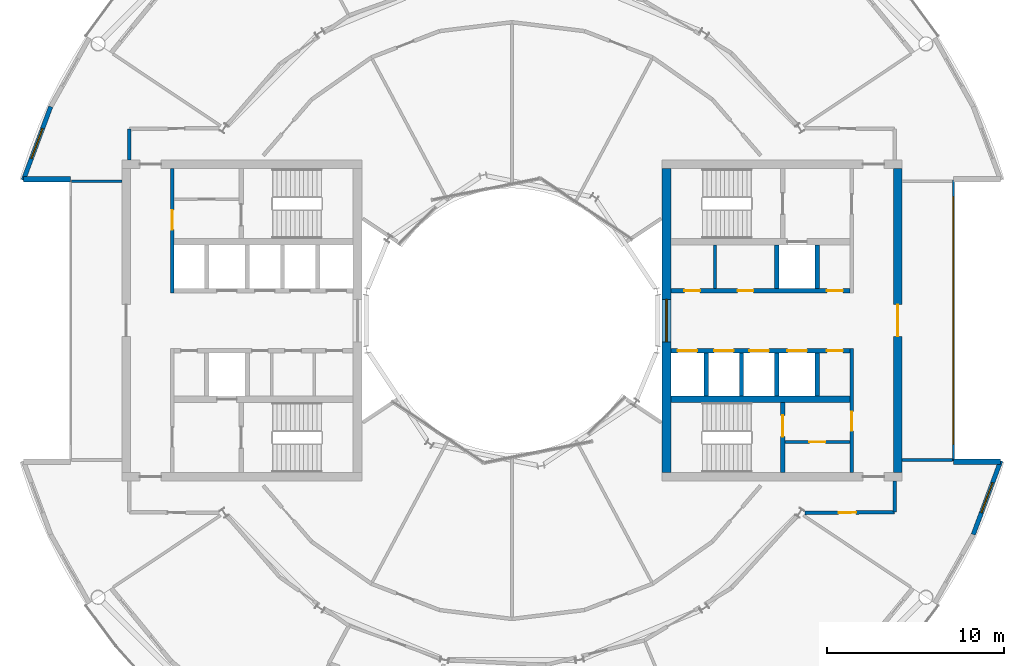
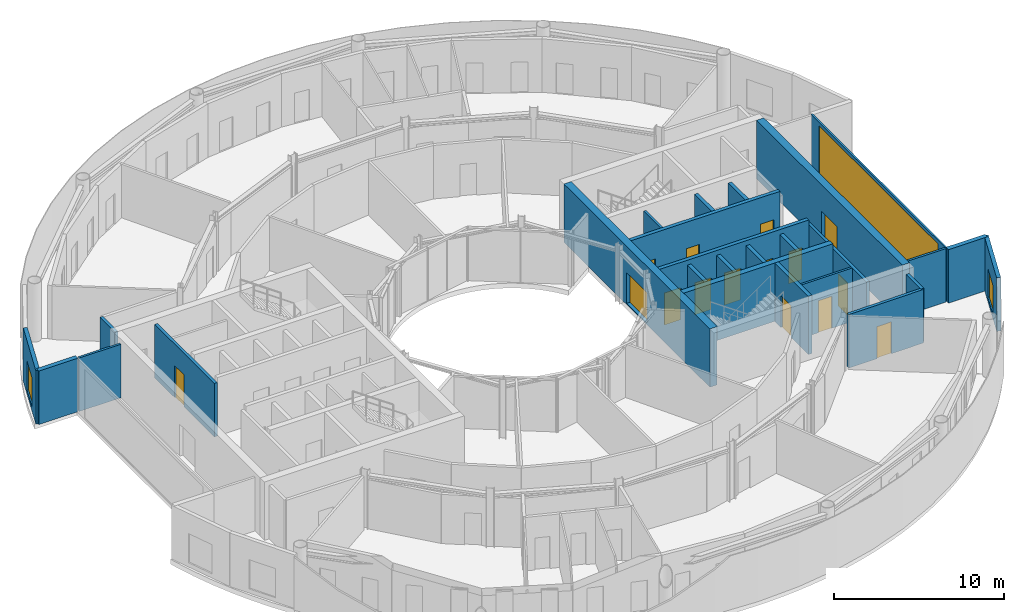
# One storey, part 15 of 21: 26 walls, 14 doors, 4 windows, 18 openings.
"""IFC4 building model written with IfcOpenShell, lengths in metres."""

import ifcopenshell
import ifcopenshell.guid

model = None  # the IFC model being written
_history = None  # IfcOwnerHistory: only IFC2X3 demands one
_inside = {}  # id of a spatial element -> (the spatial element, [elements in it])
_under = {}  # id of a project, library or spatial element -> (it, [spatial elements below it])
_declared = {}  # id of a project -> (the project, [libraries it declares])
_typed = {}  # id of a type object -> (the type object, [elements of that type])
_made_of = {}  # id of a material, layer set ... -> (it, [elements and type objects made of it])


def new_model(schema):
    """Start an empty IFC model of exactly this schema.

    Asked for "IFC4X3", IfcOpenShell would pick the latest addendum, in which some entities
    have other attributes; the version numbers below select the first issue.
    IFC2X3 requires an IfcOwnerHistory on every rooted entity: one is made here for all.
    """
    global model, _history
    if schema == "IFC4X3":
        model = ifcopenshell.file(schema_version=(4, 3, 0, 0))
    else:
        model = ifcopenshell.file(schema=schema)
    _inside.clear()
    _under.clear()
    _declared.clear()
    _typed.clear()
    _made_of.clear()
    _history = None
    if model.schema == "IFC2X3":
        org = make("IfcOrganization", Name="unknown")
        user = make(
            "IfcPersonAndOrganization",
            ThePerson=make("IfcPerson", FamilyName="unknown"),
            TheOrganization=org,
        )
        app = make(
            "IfcApplication",
            ApplicationDeveloper=org,
            Version="unknown",
            ApplicationFullName="unknown",
            ApplicationIdentifier="unknown",
        )
        _history = make(
            "IfcOwnerHistory",
            OwningUser=user,
            OwningApplication=app,
            ChangeAction="ADDED",
            CreationDate=0,
        )
    return model


def make(cls, **values):
    """One entity of the class cls with the attributes given. An attribute that is None is left unset."""
    return model.create_entity(
        cls, **{name: value for name, value in values.items() if value is not None}
    )


def rooted(cls, **values):
    """An entity with a GlobalId (a new one), such as an element, a storey or a relation."""
    return make(cls, GlobalId=ifcopenshell.guid.new(), OwnerHistory=_history, **values)


def si_unit(unit_type, name, prefix=None):
    """IfcSIUnit, for example si_unit("LENGTHUNIT", "METRE", prefix="MILLI")."""
    return make("IfcSIUnit", UnitType=unit_type, Prefix=prefix, Name=name)


def assignment(units):
    """IfcUnitAssignment: the units of a project."""
    return None if units is None else make("IfcUnitAssignment", Units=units)


def point(xyz):
    """IfcCartesianPoint."""
    return None if xyz is None else make("IfcCartesianPoint", Coordinates=xyz)


def direction(xyz):
    """IfcDirection."""
    return None if xyz is None else make("IfcDirection", DirectionRatios=xyz)


def frame(location, z_axis=None, x_axis=None):
    """IfcAxis2Placement3D, a coordinate frame: its origin and axes. An axis left out is left unset."""
    return make(
        "IfcAxis2Placement3D",
        Location=point(location),
        Axis=direction(z_axis),
        RefDirection=direction(x_axis),
    )


def frame_2d(location, x_axis=None):
    """IfcAxis2Placement2D, a coordinate frame in the plane: its origin and x axis."""
    return make(
        "IfcAxis2Placement2D", Location=point(location), RefDirection=direction(x_axis)
    )


def origin():
    """The frame at (0, 0, 0) with its axes left unset."""
    return frame((0.0, 0.0, 0.0))


def place(relative_to, where):
    """IfcLocalPlacement: puts the frame where relative to a parent placement (None: the world)."""
    return make(
        "IfcLocalPlacement", PlacementRelTo=relative_to, RelativePlacement=where
    )


def context(
    kind, dimensions, precision=None, world=None, true_north=None, identifier=None
):
    """IfcGeometricRepresentationContext, for example the 3D "Model" context."""
    return make(
        "IfcGeometricRepresentationContext",
        ContextIdentifier=identifier,
        ContextType=kind,
        CoordinateSpaceDimension=dimensions,
        Precision=precision,
        WorldCoordinateSystem=world,
        TrueNorth=true_north,
    )


def subcontext(parent, identifier, kind, view, scale=None):
    """IfcGeometricRepresentationSubContext, for example "Body" below "Model"."""
    return make(
        "IfcGeometricRepresentationSubContext",
        ContextIdentifier=identifier,
        ContextType=kind,
        ParentContext=parent,
        TargetScale=scale,
        TargetView=view,
    )


def project(units=None, contexts=None):
    """IfcProject with its units and contexts."""
    return rooted(
        "IfcProject",
        Name="project",
        RepresentationContexts=contexts,
        UnitsInContext=assignment(units),
    )


def spatial(cls, under=None, at=None, **own):
    """A site, building, storey or space (cls), placed at a placement, below another one or the project."""
    s = rooted(cls, ObjectPlacement=at, **own)
    if under is not None:
        _under.setdefault(under.id(), (under, []))[1].append(s)
    return s


def profile(cls, at=None, kind="AREA", **sizes):
    """A parametric profile (cls). Its sizes go by their IFC names, for example OverallWidth=200.0."""
    return make(cls, ProfileType=kind, Position=at, **sizes)


def rectangle(**sizes):
    """IfcRectangleProfileDef."""
    return profile("IfcRectangleProfileDef", **sizes)


def extrude(swept, where, along, depth):
    """IfcExtrudedAreaSolid: the profile swept, set in the frame where, extruded along a direction by depth."""
    return make(
        "IfcExtrudedAreaSolid",
        SweptArea=swept,
        Position=where,
        ExtrudedDirection=direction(along),
        Depth=depth,
    )


def shape(context_of_items, identifier, shape_type, items):
    """IfcShapeRepresentation: the items that make up one representation, for example the "Body"."""
    return make(
        "IfcShapeRepresentation",
        ContextOfItems=context_of_items,
        RepresentationIdentifier=identifier,
        RepresentationType=shape_type,
        Items=items,
    )


def material(Name=None, Category=None):
    """IfcMaterial."""
    return make("IfcMaterial", Name=Name, Category=Category)


def layer(
    of_material, thickness, ventilated=None, Name=None, Category=None, Priority=None
):
    """IfcMaterialLayer: one layer of a wall or slab, of a material (None: an air gap)."""
    return make(
        "IfcMaterialLayer",
        Material=of_material,
        LayerThickness=thickness,
        IsVentilated=ventilated,
        Name=Name,
        Category=Category,
        Priority=Priority,
    )


def layer_set(layers, Name=None):
    """IfcMaterialLayerSet."""
    return make("IfcMaterialLayerSet", MaterialLayers=layers, LayerSetName=Name)


def made_of(thing, what):
    """Note that an element or type object is made of a material, layer set ...; save() writes the relation."""
    if what is not None:
        _made_of.setdefault(what.id(), (what, []))[1].append(thing)
    return thing


def type_object(cls, material=None, **own):
    """A type object (cls), such as IfcWallType, which elements share."""
    return made_of(rooted(cls, **own), material)


def element(
    cls,
    number,
    at=None,
    inside=None,
    cuts=None,
    type_object=None,
    material=None,
    context=None,
    identifier="Body",
    shape_type=None,
    held_by="IfcProductDefinitionShape",
    body=None,
    shapes=None,
    **own,
):
    """One element of the class cls, such as IfcWall. Its Tag is "e" and its number.

    at: its placement. inside: the storey or other place that contains it. cuts: it is an
    opening in that element (IfcRelVoidsElement). A single representation is given by context,
    identifier, shape_type and body (its items); several are given by shapes. held_by: the class
    of the entity that holds the representations. save() writes the other relations.
    """
    e = rooted(cls, Tag="e%d" % number, ObjectPlacement=at, **own)
    if body is not None:
        shapes = [shape(context, identifier, shape_type, body)]
    if shapes is not None:
        e.Representation = make(held_by, Representations=shapes)
    if inside is not None:
        _inside.setdefault(inside.id(), (inside, []))[1].append(e)
    if cuts is not None:
        rooted(
            "IfcRelVoidsElement", RelatingBuildingElement=cuts, RelatedOpeningElement=e
        )
    if type_object is not None:
        _typed.setdefault(type_object.id(), (type_object, []))[1].append(e)
    return made_of(e, material)


def fill(opening, filler):
    """IfcRelFillsElement: the door or window that sits in an opening."""
    return rooted(
        "IfcRelFillsElement",
        RelatingOpeningElement=opening,
        RelatedBuildingElement=filler,
    )


def aggregate(whole, parts):
    """IfcRelAggregates: a whole, such as a stair, and the parts it consists of."""
    return rooted("IfcRelAggregates", RelatingObject=whole, RelatedObjects=parts)


def save(model, path):
    """Write the relations noted so far, then the file.

    IfcRelAggregates (storeys below a building ...), IfcRelContainedInSpatialStructure (elements
    in a storey), IfcRelDefinesByType, IfcRelAssociatesMaterial and IfcRelDeclares: one each for
    every whole, place, type object, material and project.
    """
    for whole, parts in _under.values():
        aggregate(whole, parts)
    for where, things in _inside.values():
        rooted(
            "IfcRelContainedInSpatialStructure",
            RelatedElements=things,
            RelatingStructure=where,
        )
    for kind, things in _typed.values():
        rooted("IfcRelDefinesByType", RelatedObjects=things, RelatingType=kind)
    for what, things in _made_of.values():
        rooted("IfcRelAssociatesMaterial", RelatedObjects=things, RelatingMaterial=what)
    for by, libraries in _declared.values():
        rooted("IfcRelDeclares", RelatingContext=by, RelatedDefinitions=libraries)
    model.write(path)


model = new_model("IFC4")

# Units and contexts
model_context = context("Model", 3, precision=1e-05, world=origin(), true_north=direction((0.0, 1.0)))
body_context = subcontext(model_context, "Body", "Model", "MODEL_VIEW")
ifc_project = project(units=[si_unit("LENGTHUNIT", "METRE"), si_unit("AREAUNIT", "SQUARE_METRE"), si_unit("VOLUMEUNIT", "CUBIC_METRE"), si_unit("PLANEANGLEUNIT", "RADIAN"), si_unit("MASSUNIT", "GRAM", prefix="KILO")], contexts=[model_context])

# Site, building, storey
site_placement = place(None, origin())
site = spatial("IfcSite", under=ifc_project, at=site_placement, CompositionType="ELEMENT")
building_placement = place(site_placement, origin())
building = spatial("IfcBuilding", under=site, at=building_placement, Name="Maasbend Ring Residences", CompositionType="ELEMENT")
storey_placement = place(building_placement, frame((0.0, 0.0, 157.39990234375)))
storey = spatial("IfcBuildingStorey", under=building, at=storey_placement, Name="L45", CompositionType="ELEMENT", Elevation=157.39990234375)

# Wall, openings, doors
ifc_material_1 = material(Name="Concrete C60/75", Category="concrete")
ifc_layer_1 = layer(ifc_material_1, 0.25)
ifc_layer_set_1 = layer_set([ifc_layer_1], Name="Concrete C60/75")
wall_type_1 = type_object("IfcWallType", Name="CORE WALL 250 C60/75", PredefinedType="SHEAR", material=ifc_layer_set_1)
wall_1_placement = place(storey_placement, frame((9.0, 1.699951171875, 0.0), z_axis=(0.0, 0.0, 1.0), x_axis=(1.0, 0.0, 0.0)))
wall_1 = element("IfcWall", 1, at=wall_1_placement, inside=storey, type_object=wall_type_1, Name="L45 core E wall SPN", PredefinedType="SHEAR", context=body_context, shape_type="SweptSolid", body=[
    extrude(rectangle(XDim=10.14990234375, YDim=0.25, at=frame_2d((5.074951171875, 0.0))), origin(), (0.0, 0.0, 1.0), 4.2001953125),
])
opening_1_placement = place(wall_1_placement, frame((0.762451171875, 0.0, 0.0)))
opening_1 = element("IfcOpeningElement", 2, at=opening_1_placement, cuts=wall_1, Name="Opening D-E4506", PredefinedType="OPENING", context=body_context, shape_type="SweptSolid", body=[
    extrude(rectangle(XDim=0.89990234375, YDim=2.300048828125, at=frame_2d((0.449951171875, 1.14990234375))), frame((0.0, 0.135009765625, 0.0), z_axis=(0.0, -1.0, 0.0), x_axis=(1.0, 0.0, 0.0)), (0.0, 0.0, 1.0), 0.27001953125),
])
opening_2_placement = place(wall_1_placement, frame((3.77490234375, 0.0, 0.0)))
opening_2 = element("IfcOpeningElement", 3, at=opening_2_placement, cuts=wall_1, Name="Opening D-E4507", PredefinedType="OPENING", context=body_context, shape_type="SweptSolid", body=[
    extrude(rectangle(XDim=0.89990234375, YDim=2.300048828125, at=frame_2d((0.449951171875, 1.14990234375))), frame((0.0, 0.135009765625, 0.0), z_axis=(0.0, -1.0, 0.0), x_axis=(1.0, 0.0, 0.0)), (0.0, 0.0, 1.0), 0.27001953125),
])
opening_3_placement = place(wall_1_placement, frame((8.83740234375, 0.0, 0.0)))
opening_3 = element("IfcOpeningElement", 4, at=opening_3_placement, cuts=wall_1, Name="Opening D-E4508", PredefinedType="OPENING", context=body_context, shape_type="SweptSolid", body=[
    extrude(rectangle(XDim=0.89990234375, YDim=2.300048828125, at=frame_2d((0.449951171875, 1.14990234375))), frame((0.0, 0.135009765625, 0.0), z_axis=(0.0, -1.0, 0.0), x_axis=(1.0, 0.0, 0.0)), (0.0, 0.0, 1.0), 0.27001953125),
])
ifc_material_2 = material(Name="Steel, powder coated", Category="steel")
door_type_1 = type_object("IfcDoorType", Name="ROOM DOOR 900 X 2300 FD30S", OperationType="NOTDEFINED", PredefinedType="DOOR", material=ifc_material_2)
door_1_placement = place(opening_1_placement, origin())
door_1 = element("IfcDoor", 5, at=door_1_placement, inside=storey, type_object=door_type_1, Name="Room door L45", OperationType="SINGLE_SWING_RIGHT", OverallHeight=2.300048828125, OverallWidth=0.89990234375, PredefinedType="DOOR", context=body_context, shape_type="SweptSolid", body=[
    extrude(rectangle(XDim=0.89990234375, YDim=2.300048828125, at=frame_2d((0.449951171875, 1.14990234375))), frame((0.0, 0.02490234375, 0.0), z_axis=(0.0, -1.0, 0.0), x_axis=(1.0, 0.0, 0.0)), (0.0, 0.0, 1.0), 0.050048828125),
])
fill(opening_1, door_1)
door_2_placement = place(opening_2_placement, origin())
door_2 = element("IfcDoor", 6, at=door_2_placement, inside=storey, type_object=door_type_1, Name="Room door L45", OperationType="SINGLE_SWING_RIGHT", OverallHeight=2.300048828125, OverallWidth=0.89990234375, PredefinedType="DOOR", context=body_context, shape_type="SweptSolid", body=[
    extrude(rectangle(XDim=0.89990234375, YDim=2.300048828125, at=frame_2d((0.449951171875, 1.14990234375))), frame((0.0, 0.02490234375, 0.0), z_axis=(0.0, -1.0, 0.0), x_axis=(1.0, 0.0, 0.0)), (0.0, 0.0, 1.0), 0.050048828125),
])
fill(opening_2, door_2)
door_3_placement = place(opening_3_placement, origin())
door_3 = element("IfcDoor", 7, at=door_3_placement, inside=storey, type_object=door_type_1, Name="Room door L45", OperationType="SINGLE_SWING_LEFT", OverallHeight=2.300048828125, OverallWidth=0.89990234375, PredefinedType="DOOR", context=body_context, shape_type="SweptSolid", body=[
    extrude(rectangle(XDim=0.89990234375, YDim=2.300048828125, at=frame_2d((0.449951171875, 1.14990234375))), frame((0.0, 0.02490234375, 0.0), z_axis=(0.0, -1.0, 0.0), x_axis=(1.0, 0.0, 0.0)), (0.0, 0.0, 1.0), 0.050048828125),
])
fill(opening_3, door_3)

wall_2_placement = place(storey_placement, frame((19.14990234375, -1.699951171875, 0.0), z_axis=(0.0, 0.0, 1.0), x_axis=(-1.0, 0.0, 0.0)))
wall_2 = element("IfcWall", 8, at=wall_2_placement, inside=storey, type_object=wall_type_1, Name="L45 core E wall SPS", PredefinedType="SHEAR", context=body_context, shape_type="SweptSolid", body=[
    extrude(rectangle(XDim=10.14990234375, YDim=0.25, at=frame_2d((5.074951171875, 0.0))), origin(), (0.0, 0.0, 1.0), 4.2001953125),
])
opening_4_placement = place(wall_2_placement, frame((8.66259765625, 0.0, 0.0)))
opening_4 = element("IfcOpeningElement", 9, at=opening_4_placement, cuts=wall_2, Name="Opening LD-E4502", PredefinedType="OPENING", context=body_context, shape_type="SweptSolid", body=[
    extrude(rectangle(XDim=1.10009765625, YDim=2.300048828125, at=frame_2d((0.550048828125, 1.14990234375))), frame((0.0, 0.135009765625, 0.0), z_axis=(0.0, -1.0, 0.0), x_axis=(1.0, 0.0, 0.0)), (0.0, 0.0, 1.0), 0.27001953125),
])
opening_5_placement = place(wall_2_placement, frame((6.60009765625, 0.0, 0.0)))
opening_5 = element("IfcOpeningElement", 10, at=opening_5_placement, cuts=wall_2, Name="Opening LD-E4503", PredefinedType="OPENING", context=body_context, shape_type="SweptSolid", body=[
    extrude(rectangle(XDim=1.10009765625, YDim=2.300048828125, at=frame_2d((0.550048828125, 1.14990234375))), frame((0.0, 0.135009765625, 0.0), z_axis=(0.0, -1.0, 0.0), x_axis=(1.0, 0.0, 0.0)), (0.0, 0.0, 1.0), 0.27001953125),
])
opening_6_placement = place(wall_2_placement, frame((4.60009765625, 0.0, 0.0)))
opening_6 = element("IfcOpeningElement", 11, at=opening_6_placement, cuts=wall_2, Name="Opening LD-E4504", PredefinedType="OPENING", context=body_context, shape_type="SweptSolid", body=[
    extrude(rectangle(XDim=1.10009765625, YDim=2.300048828125, at=frame_2d((0.550048828125, 1.14990234375))), frame((0.0, 0.135009765625, 0.0), z_axis=(0.0, -1.0, 0.0), x_axis=(1.0, 0.0, 0.0)), (0.0, 0.0, 1.0), 0.27001953125),
])
opening_7_placement = place(wall_2_placement, frame((2.449951171875, 0.0, 0.0)))
opening_7 = element("IfcOpeningElement", 12, at=opening_7_placement, cuts=wall_2, Name="Opening LD-E4505", PredefinedType="OPENING", context=body_context, shape_type="SweptSolid", body=[
    extrude(rectangle(XDim=1.10009765625, YDim=2.300048828125, at=frame_2d((0.550048828125, 1.14990234375))), frame((0.0, 0.135009765625, 0.0), z_axis=(0.0, -1.0, 0.0), x_axis=(1.0, 0.0, 0.0)), (0.0, 0.0, 1.0), 0.27001953125),
])
opening_8_placement = place(wall_2_placement, frame((0.41259765625, 0.0, 0.0)))
opening_8 = element("IfcOpeningElement", 13, at=opening_8_placement, cuts=wall_2, Name="Opening D-E4509", PredefinedType="OPENING", context=body_context, shape_type="SweptSolid", body=[
    extrude(rectangle(XDim=0.89990234375, YDim=2.300048828125, at=frame_2d((0.449951171875, 1.14990234375))), frame((0.0, 0.135009765625, 0.0), z_axis=(0.0, -1.0, 0.0), x_axis=(1.0, 0.0, 0.0)), (0.0, 0.0, 1.0), 0.27001953125),
])
ifc_material_3 = material(Name="Stainless steel 316", Category="steel")
door_type_2 = type_object("IfcDoorType", Name="LANDING DOOR 1100 X 2300 FD60", OperationType="DOUBLE_DOOR_SLIDING", PredefinedType="DOOR", material=ifc_material_3)
door_4_placement = place(opening_4_placement, origin())
door_4 = element("IfcDoor", 14, at=door_4_placement, inside=storey, type_object=door_type_2, Name="Landing door HR-E1 L45", OperationType="DOUBLE_DOOR_SLIDING", OverallHeight=2.300048828125, OverallWidth=1.10009765625, PredefinedType="DOOR", context=body_context, shape_type="SweptSolid", body=[
    extrude(rectangle(XDim=1.10009765625, YDim=2.300048828125, at=frame_2d((0.550048828125, 1.14990234375))), frame((0.0, 0.02490234375, 0.0), z_axis=(0.0, -1.0, 0.0), x_axis=(1.0, 0.0, 0.0)), (0.0, 0.0, 1.0), 0.050048828125),
])
fill(opening_4, door_4)
door_5_placement = place(opening_5_placement, origin())
door_5 = element("IfcDoor", 15, at=door_5_placement, inside=storey, type_object=door_type_2, Name="Landing door HR-E2 L45", OperationType="DOUBLE_DOOR_SLIDING", OverallHeight=2.300048828125, OverallWidth=1.10009765625, PredefinedType="DOOR", context=body_context, shape_type="SweptSolid", body=[
    extrude(rectangle(XDim=1.10009765625, YDim=2.300048828125, at=frame_2d((0.550048828125, 1.14990234375))), frame((0.0, 0.02490234375, 0.0), z_axis=(0.0, -1.0, 0.0), x_axis=(1.0, 0.0, 0.0)), (0.0, 0.0, 1.0), 0.050048828125),
])
fill(opening_5, door_5)
door_6_placement = place(opening_6_placement, origin())
door_6 = element("IfcDoor", 16, at=door_6_placement, inside=storey, type_object=door_type_2, Name="Landing door HR-E3 L45", OperationType="DOUBLE_DOOR_SLIDING", OverallHeight=2.300048828125, OverallWidth=1.10009765625, PredefinedType="DOOR", context=body_context, shape_type="SweptSolid", body=[
    extrude(rectangle(XDim=1.10009765625, YDim=2.300048828125, at=frame_2d((0.550048828125, 1.14990234375))), frame((0.0, 0.02490234375, 0.0), z_axis=(0.0, -1.0, 0.0), x_axis=(1.0, 0.0, 0.0)), (0.0, 0.0, 1.0), 0.050048828125),
])
fill(opening_6, door_6)
door_7_placement = place(opening_7_placement, origin())
door_7 = element("IfcDoor", 17, at=door_7_placement, inside=storey, type_object=door_type_2, Name="Landing door SV-E L45", OperationType="DOUBLE_DOOR_SLIDING", OverallHeight=2.300048828125, OverallWidth=1.10009765625, PredefinedType="DOOR", context=body_context, shape_type="SweptSolid", body=[
    extrude(rectangle(XDim=1.10009765625, YDim=2.300048828125, at=frame_2d((0.550048828125, 1.14990234375))), frame((0.0, 0.02490234375, 0.0), z_axis=(0.0, -1.0, 0.0), x_axis=(1.0, 0.0, 0.0)), (0.0, 0.0, 1.0), 0.050048828125),
])
fill(opening_7, door_7)
door_8_placement = place(opening_8_placement, origin())
door_8 = element("IfcDoor", 18, at=door_8_placement, inside=storey, type_object=door_type_1, Name="Room door L45", OperationType="SINGLE_SWING_RIGHT", OverallHeight=2.300048828125, OverallWidth=0.89990234375, PredefinedType="DOOR", context=body_context, shape_type="SweptSolid", body=[
    extrude(rectangle(XDim=0.89990234375, YDim=2.300048828125, at=frame_2d((0.449951171875, 1.14990234375))), frame((0.0, 0.02490234375, 0.0), z_axis=(0.0, -1.0, 0.0), x_axis=(1.0, 0.0, 0.0)), (0.0, 0.0, 1.0), 0.050048828125),
])
fill(opening_8, door_8)

# Wall, opening, door
wall_3_placement = place(storey_placement, frame((15.324951171875, -8.60009765625, 0.0), z_axis=(0.0, 0.0, 1.0), x_axis=(0.0, 1.0, 0.0)))
wall_3 = element("IfcWall", 19, at=wall_3_placement, inside=storey, type_object=wall_type_1, Name="L45 core E wall STES", PredefinedType="SHEAR", context=body_context, shape_type="SweptSolid", body=[
    extrude(rectangle(XDim=3.9501953125, YDim=0.25, at=frame_2d((1.97509765625, 0.0))), origin(), (0.0, 0.0, 1.0), 4.2001953125),
])
opening_9_placement = place(wall_3_placement, frame((2.02490234375, 0.0, 0.0)))
opening_9 = element("IfcOpeningElement", 20, at=opening_9_placement, cuts=wall_3, Name="Opening D-E4512", PredefinedType="OPENING", context=body_context, shape_type="SweptSolid", body=[
    extrude(rectangle(XDim=1.199951171875, YDim=2.300048828125, at=frame_2d((0.60009765625, 1.14990234375))), frame((0.0, 0.135009765625, 0.0), z_axis=(0.0, -1.0, 0.0), x_axis=(1.0, 0.0, 0.0)), (0.0, 0.0, 1.0), 0.27001953125),
])
ifc_material_4 = material(Name="Steel, powder coated", Category="steel")
door_type_3 = type_object("IfcDoorType", Name="STAIR DOOR 1200 X 2300 FD60", OperationType="NOTDEFINED", PredefinedType="DOOR", material=ifc_material_4)
door_9_placement = place(opening_9_placement, origin())
door_9 = element("IfcDoor", 21, at=door_9_placement, inside=storey, type_object=door_type_3, Name="Stair door ST-E L45", OperationType="SINGLE_SWING_LEFT", OverallHeight=2.300048828125, OverallWidth=1.199951171875, PredefinedType="DOOR", context=body_context, shape_type="SweptSolid", body=[
    extrude(rectangle(XDim=1.199951171875, YDim=2.300048828125, at=frame_2d((0.60009765625, 1.14990234375))), frame((0.0, 0.02490234375, 0.0), z_axis=(0.0, -1.0, 0.0), x_axis=(1.0, 0.0, 0.0)), (0.0, 0.0, 1.0), 0.050048828125),
])
fill(opening_9, door_9)

# Wall
ifc_material_5 = material(Name="Concrete C60/75", Category="concrete")
ifc_layer_2 = layer(ifc_material_5, 0.375)
ifc_layer_set_2 = layer_set([ifc_layer_2], Name="Concrete C60/75")
wall_type_2 = type_object("IfcWallType", Name="CORE WALL 375 C60/75", PredefinedType="SHEAR", material=ifc_layer_set_2)
wall_4_placement = place(storey_placement, frame((9.0, -4.46240234375, 0.0), z_axis=(0.0, 0.0, 1.0), x_axis=(1.0, 0.0, 0.0)))
element("IfcWall", 22, at=wall_4_placement, inside=storey, type_object=wall_type_2, Name="L45 core E wall BS", PredefinedType="SHEAR", context=body_context, shape_type="SweptSolid", body=[
    extrude(rectangle(XDim=10.14990234375, YDim=0.375, at=frame_2d((5.074951171875, 0.0))), origin(), (0.0, 0.0, 1.0), 4.2001953125),
])

# Wall, opening, door
ifc_material_6 = material(Name="Concrete C60/75", Category="concrete")
ifc_layer_3 = layer(ifc_material_6, 0.5)
ifc_layer_set_3 = layer_set([ifc_layer_3], Name="Concrete C60/75")
wall_type_3 = type_object("IfcWallType", Name="CORE WALL 500 C60/75", PredefinedType="SHEAR", material=ifc_layer_set_3)
wall_5_placement = place(storey_placement, frame((21.85009765625, 8.60009765625, 0.0), z_axis=(0.0, 0.0, 1.0), x_axis=(0.0, -1.0, 0.0)))
wall_5 = element("IfcWall", 23, at=wall_5_placement, inside=storey, type_object=wall_type_3, Name="L45 core E wall POUT", PredefinedType="SHEAR", context=body_context, shape_type="SweptSolid", body=[
    extrude(rectangle(XDim=17.2001953125, YDim=0.5, at=frame_2d((8.60009765625, 0.0))), origin(), (0.0, 0.0, 1.0), 4.2001953125),
])
opening_10_placement = place(wall_5_placement, frame((7.699951171875, 0.0, 0.0)))
opening_10 = element("IfcOpeningElement", 24, at=opening_10_placement, cuts=wall_5, Name="Opening D-E4517", PredefinedType="OPENING", context=body_context, shape_type="SweptSolid", body=[
    extrude(rectangle(XDim=1.800048828125, YDim=2.300048828125, at=frame_2d((0.89990234375, 1.14990234375))), frame((0.0, 0.260009765625, 0.0), z_axis=(0.0, -1.0, 0.0), x_axis=(1.0, 0.0, 0.0)), (0.0, 0.0, 1.0), 0.52001953125),
])
ifc_material_7 = material(Name="Aluminium frame, clear glass", Category="aluminium")
door_type_4 = type_object("IfcDoorType", Name="ENTRANCE DOOR 1800 X 2300 FD60", OperationType="NOTDEFINED", PredefinedType="DOOR", material=ifc_material_7)
door_10_placement = place(opening_10_placement, origin())
door_10 = element("IfcDoor", 25, at=door_10_placement, inside=storey, type_object=door_type_4, Name="Lobby glazed door L45", OperationType="SINGLE_SWING_LEFT", OverallHeight=2.300048828125, OverallWidth=1.800048828125, PredefinedType="DOOR", context=body_context, shape_type="SweptSolid", body=[
    extrude(rectangle(XDim=1.800048828125, YDim=2.300048828125, at=frame_2d((0.89990234375, 1.14990234375))), frame((0.0, 0.02490234375, 0.0), z_axis=(0.0, -1.0, 0.0), x_axis=(1.0, 0.0, 0.0)), (0.0, 0.0, 1.0), 0.050048828125),
])
fill(opening_10, door_10)

# Wall, opening, window
wall_6_placement = place(storey_placement, frame((8.75, -8.60009765625, 0.0), z_axis=(0.0, 0.0, 1.0), x_axis=(0.0, 1.0, 0.0)))
wall_6 = element("IfcWall", 26, at=wall_6_placement, inside=storey, type_object=wall_type_3, Name="L45 core E wall PIN", PredefinedType="SHEAR", context=body_context, shape_type="SweptSolid", body=[
    extrude(rectangle(XDim=17.2001953125, YDim=0.5, at=frame_2d((8.60009765625, 0.0))), origin(), (0.0, 0.0, 1.0), 4.2001953125),
])
opening_11_placement = place(wall_6_placement, frame((7.39990234375, 0.0, 0.10009765625)))
opening_11 = element("IfcOpeningElement", 27, at=opening_11_placement, cuts=wall_6, Name="Opening W-E4501", PredefinedType="OPENING", context=body_context, shape_type="SweptSolid", body=[
    extrude(rectangle(XDim=2.39990234375, YDim=2.199951171875, at=frame_2d((1.199951171875, 1.10009765625))), frame((0.0, 0.260009765625, 0.0), z_axis=(0.0, -1.0, 0.0), x_axis=(1.0, 0.0, 0.0)), (0.0, 0.0, 1.0), 0.52001953125),
])
ifc_material_8 = material(Name="Aluminium frame and clear glass", Category="aluminium")
window_type_1 = type_object("IfcWindowType", Name="FIXED WINDOW 2400 X 2200", PartitioningType="SINGLE_PANEL", PredefinedType="WINDOW", material=ifc_material_8)
window_1_placement = place(opening_11_placement, origin())
window_1 = element("IfcWindow", 28, at=window_1_placement, inside=storey, type_object=window_type_1, Name="Lobby window L45", OverallHeight=2.199951171875, OverallWidth=2.39990234375, PartitioningType="SINGLE_PANEL", PredefinedType="WINDOW", context=body_context, shape_type="SweptSolid", body=[
    extrude(rectangle(XDim=2.39990234375, YDim=2.199951171875, at=frame_2d((1.199951171875, 1.10009765625))), frame((0.0, 0.030029296875, 0.0), z_axis=(0.0, -1.0, 0.0), x_axis=(1.0, 0.0, 0.0)), (0.0, 0.0, 1.0), 0.06005859375),
])
fill(opening_11, window_1)

# Wall
ifc_material_9 = material(Name="Concrete C30/37", Category="concrete")
ifc_layer_4 = layer(ifc_material_9, 0.199951171875)
ifc_layer_set_4 = layer_set([ifc_layer_4], Name="Concrete C30/37")
wall_type_4 = type_object("IfcWallType", Name="CORRIDOR WALL 200 CONCRETE", PredefinedType="PARTITIONING", material=ifc_layer_set_4)
wall_7_placement = place(storey_placement, frame((21.675048828125, -10.85009765625, 0.0), z_axis=(0.0, 0.0, 1.0), x_axis=(0.0, 1.0, 0.0)))
element("IfcWall", 29, at=wall_7_placement, inside=storey, type_object=wall_type_4, Name="U-L45-w002", PredefinedType="PARTITIONING", context=body_context, shape_type="SweptSolid", body=[
    extrude(rectangle(XDim=1.75, YDim=0.199951171875, at=frame_2d((0.875, 0.0))), origin(), (0.0, 0.0, 1.0), 3.85009765625),
])

# Wall, opening, door
wall_8_placement = place(storey_placement, frame((16.58203125, -10.89892578125, 0.0), z_axis=(0.0, 0.0, 1.0), x_axis=(0.999954045313, 0.009586827528, 0.0)))
wall_8 = element("IfcWall", 30, at=wall_8_placement, inside=storey, type_object=wall_type_4, Name="U-L45-w023", PredefinedType="PARTITIONING", context=body_context, shape_type="SweptSolid", body=[
    extrude(rectangle(XDim=5.09326171875, YDim=0.199951171875, at=frame_2d((2.546630859375, 0.0))), origin(), (0.0, 0.0, 1.0), 3.85009765625),
])
opening_12_placement = place(wall_8_placement, frame((1.9140625, 0.0, 0.0)))
opening_12 = element("IfcOpeningElement", 31, at=opening_12_placement, cuts=wall_8, Name="Opening D-4525", PredefinedType="OPENING", context=body_context, shape_type="SweptSolid", body=[
    extrude(rectangle(XDim=1.0, YDim=2.300048828125, at=frame_2d((0.5, 1.14990234375))), frame((0.0, 0.10986328125, 0.0), z_axis=(0.0, -1.0, 0.0), x_axis=(1.0, 0.0, 0.0)), (0.0, 0.0, 1.0), 0.219970703125),
])
ifc_material_10 = material(Name="Timber, painted", Category="wood")
door_type_5 = type_object("IfcDoorType", Name="ROOM DOOR 1000 X 2300", OperationType="NOTDEFINED", PredefinedType="DOOR", material=ifc_material_10)
door_11_placement = place(opening_12_placement, origin())
door_11 = element("IfcDoor", 32, at=door_11_placement, inside=storey, type_object=door_type_5, Name="D-4525", OperationType="SINGLE_SWING_LEFT", OverallHeight=2.300048828125, OverallWidth=1.0, PredefinedType="DOOR", context=body_context, shape_type="SweptSolid", body=[
    extrude(rectangle(XDim=1.0, YDim=2.300048828125, at=frame_2d((0.5, 1.14990234375))), frame((0.0, 0.02490234375, 0.0), z_axis=(0.0, -1.0, 0.0), x_axis=(1.0, 0.0, 0.0)), (0.0, 0.0, 1.0), 0.050048828125),
])
fill(opening_12, door_11)

# Wall
wall_9_placement = place(storey_placement, frame((-21.675048828125, 9.10009765625, 0.0), z_axis=(0.0, 0.0, 1.0), x_axis=(0.0, 1.0, 0.0)))
element("IfcWall", 33, at=wall_9_placement, inside=storey, type_object=wall_type_4, Name="U-L45-w073", PredefinedType="PARTITIONING", context=body_context, shape_type="SweptSolid", body=[
    extrude(rectangle(XDim=1.75, YDim=0.199951171875, at=frame_2d((0.875, 0.0))), origin(), (0.0, 0.0, 1.0), 3.85009765625),
])

# Wall, opening, window
ifc_material_11 = material(Name="Aluminium clad insulated panel", Category="aluminium")
ifc_layer_5 = layer(ifc_material_11, 0.25)
ifc_layer_set_5 = layer_set([ifc_layer_5], Name="EW-HORN")
wall_type_5 = type_object("IfcWallType", Name="EW-HORN", PredefinedType="SOLIDWALL", material=ifc_layer_set_5)
wall_10_placement = place(storey_placement, frame((26.126953125, -12.116943359375, 0.0), z_axis=(0.0, 0.0, 1.0), x_axis=(0.349247811493, 0.937030397675, 0.0)))
wall_10 = element("IfcWall", 34, at=wall_10_placement, inside=storey, type_object=wall_type_5, Name="Horn wall 2.2", PredefinedType="SOLIDWALL", context=body_context, shape_type="SweptSolid", body=[
    extrude(rectangle(XDim=4.4521484375, YDim=0.25, at=frame_2d((2.22607421875, 0.0))), origin(), (0.0, 0.0, 1.0), 3.85009765625),
])
opening_13_placement = place(wall_10_placement, frame((1.32666015625, 0.0, 0.300048828125)))
opening_13 = element("IfcOpeningElement", 35, at=opening_13_placement, cuts=wall_10, Name="Opening W-BX", PredefinedType="OPENING", context=body_context, shape_type="SweptSolid", body=[
    extrude(rectangle(XDim=1.800048828125, YDim=2.10009765625, at=frame_2d((0.89990234375, 1.050048828125))), frame((0.0, 0.135009765625, 0.0), z_axis=(0.0, -1.0, 0.0), x_axis=(1.0, 0.0, 0.0)), (0.0, 0.0, 1.0), 0.27001953125),
])
ifc_material_12 = material(Name="Aluminium and clear glass", Category="aluminium")
window_type_2 = type_object("IfcWindowType", Name="W-BX", PartitioningType="DOUBLE_PANEL_VERTICAL", PredefinedType="WINDOW", material=ifc_material_12)
window_2_placement = place(opening_13_placement, origin())
window_2 = element("IfcWindow", 36, at=window_2_placement, inside=storey, type_object=window_type_2, Name="Horn window 2.2", OverallHeight=2.10009765625, OverallWidth=1.800048828125, PartitioningType="SINGLE_PANEL", PredefinedType="WINDOW", context=body_context, shape_type="SweptSolid", body=[
    extrude(rectangle(XDim=1.800048828125, YDim=2.10009765625, at=frame_2d((0.89990234375, 1.050048828125))), frame((0.0, 0.030029296875, 0.0), z_axis=(0.0, -1.0, 0.0), x_axis=(1.0, 0.0, 0.0)), (0.0, 0.0, 1.0), 0.06005859375),
])
fill(opening_13, window_2)

wall_11_placement = place(storey_placement, frame((-26.126953125, 12.116943359375, 0.0), z_axis=(0.0, 0.0, 1.0), x_axis=(-0.349247811493, -0.937030397675, 0.0)))
wall_11 = element("IfcWall", 37, at=wall_11_placement, inside=storey, type_object=wall_type_5, Name="Horn wall 4.2", PredefinedType="SOLIDWALL", context=body_context, shape_type="SweptSolid", body=[
    extrude(rectangle(XDim=4.4521484375, YDim=0.25, at=frame_2d((2.22607421875, 0.0))), origin(), (0.0, 0.0, 1.0), 3.85009765625),
])
opening_14_placement = place(wall_11_placement, frame((1.32666015625, 0.0, 0.300048828125)))
opening_14 = element("IfcOpeningElement", 38, at=opening_14_placement, cuts=wall_11, Name="Opening W-BX", PredefinedType="OPENING", context=body_context, shape_type="SweptSolid", body=[
    extrude(rectangle(XDim=1.800048828125, YDim=2.10009765625, at=frame_2d((0.89990234375, 1.050048828125))), frame((0.0, 0.135009765625, 0.0), z_axis=(0.0, -1.0, 0.0), x_axis=(1.0, 0.0, 0.0)), (0.0, 0.0, 1.0), 0.27001953125),
])
window_3_placement = place(opening_14_placement, origin())
window_3 = element("IfcWindow", 39, at=window_3_placement, inside=storey, type_object=window_type_2, Name="Horn window 4.2", OverallHeight=2.10009765625, OverallWidth=1.800048828125, PartitioningType="SINGLE_PANEL", PredefinedType="WINDOW", context=body_context, shape_type="SweptSolid", body=[
    extrude(rectangle(XDim=1.800048828125, YDim=2.10009765625, at=frame_2d((0.89990234375, 1.050048828125))), frame((0.0, 0.030029296875, 0.0), z_axis=(0.0, -1.0, 0.0), x_axis=(1.0, 0.0, 0.0)), (0.0, 0.0, 1.0), 0.06005859375),
])
fill(opening_14, window_3)

# Walls
ifc_material_13 = material(Name="Aluminium clad insulated panel", Category="aluminium")
ifc_layer_6 = layer(ifc_material_13, 0.300048828125)
ifc_layer_set_6 = layer_set([ifc_layer_6], Name="EW-RET")
wall_type_6 = type_object("IfcWallType", Name="EW-RET", PredefinedType="SOLIDWALL", material=ifc_layer_set_6)
for number, where, z_axis, x_axis, name in (
    (40, (25.0, -8.0, 0.0), (0.0, 0.0, 1.0), (1.0, 0.0, 0.0), "Notch return wall east south"),
    (41, (-25.0, 8.0, 0.0), (0.0, 0.0, 1.0), (-1.0, 0.0, 0.0), "Notch return wall west north"),
):
    element("IfcWall", number, at=place(storey_placement, frame(where, z_axis=z_axis, x_axis=x_axis)), inside=storey, type_object=wall_type_6, Name=name, PredefinedType="SOLIDWALL", context=body_context, shape_type="SweptSolid", body=[
        extrude(rectangle(XDim=2.6669921875, YDim=0.300048828125, at=frame_2d((1.33349609375, 0.0))), origin(), (0.0, 0.0, 1.0), 3.85009765625),
    ])

# Wall, opening, window
ifc_material_14 = material(Name="Aluminium frame and clear glass", Category="aluminium")
ifc_layer_7 = layer(ifc_material_14, 0.1201171875)
ifc_layer_set_7 = layer_set([ifc_layer_7], Name="GLAZED SCREEN WALL 120 EI 60")
wall_type_7 = type_object("IfcWallType", Name="GLAZED SCREEN WALL 120 EI 60", PredefinedType="PARTITIONING", material=ifc_layer_set_7)
wall_12_placement = place(storey_placement, frame((25.0, -7.949951171875, 0.0), z_axis=(0.0, 0.0, 1.0), x_axis=(0.0, 1.0, 0.0)))
wall_12 = element("IfcWall", 42, at=wall_12_placement, inside=storey, type_object=wall_type_7, Name="L45 core E wall FACE", PredefinedType="PARTITIONING", context=body_context, shape_type="SweptSolid", body=[
    extrude(rectangle(XDim=15.89990234375, YDim=0.1201171875, at=frame_2d((7.949951171875, 0.0))), origin(), (0.0, 0.0, 1.0), 3.85009765625),
])
opening_15_placement = place(wall_12_placement, frame((0.949951171875, 0.0, 0.10009765625)))
opening_15 = element("IfcOpeningElement", 43, at=opening_15_placement, cuts=wall_12, Name="Opening W-E4502", PredefinedType="OPENING", context=body_context, shape_type="SweptSolid", body=[
    extrude(rectangle(XDim=14.0, YDim=3.5, at=frame_2d((7.0, 1.75))), frame((0.0, 0.070068359375, 0.0), z_axis=(0.0, -1.0, 0.0), x_axis=(1.0, 0.0, 0.0)), (0.0, 0.0, 1.0), 0.14013671875),
])
ifc_material_15 = material(Name="Aluminium frame and clear glass", Category="aluminium")
window_type_3 = type_object("IfcWindowType", Name="FIXED WINDOW 14000 X 3500", PartitioningType="SINGLE_PANEL", PredefinedType="WINDOW", material=ifc_material_15)
window_4_placement = place(opening_15_placement, origin())
window_4 = element("IfcWindow", 44, at=window_4_placement, inside=storey, type_object=window_type_3, Name="Lobby window L45", OverallHeight=3.5, OverallWidth=14.0, PartitioningType="SINGLE_PANEL", PredefinedType="WINDOW", context=body_context, shape_type="SweptSolid", body=[
    extrude(rectangle(XDim=14.0, YDim=3.5, at=frame_2d((7.0, 1.75))), frame((0.0, 0.030029296875, 0.0), z_axis=(0.0, -1.0, 0.0), x_axis=(1.0, 0.0, 0.0)), (0.0, 0.0, 1.0), 0.06005859375),
])
fill(opening_15, window_4)

# Wall
ifc_material_16 = material(Name="Gypsum board on steel studs", Category="steel")
ifc_layer_8 = layer(ifc_material_16, 0.14990234375)
ifc_layer_set_8 = layer_set([ifc_layer_8], Name="PARTITION 150 EI 60")
wall_type_8 = type_object("IfcWallType", Name="PARTITION 150 EI 60", PredefinedType="PARTITIONING", material=ifc_layer_set_8)
wall_13_placement = place(storey_placement, frame((11.5, 1.824951171875, 0.0), z_axis=(0.0, 0.0, 1.0), x_axis=(0.0, 1.0, 0.0)))
element("IfcWall", 45, at=wall_13_placement, inside=storey, type_object=wall_type_8, Name="L45 core E wall PRN1150", PredefinedType="PARTITIONING", context=body_context, shape_type="SweptSolid", body=[
    extrude(rectangle(XDim=2.449951171875, YDim=0.14990234375, at=frame_2d((1.22509765625, 0.0))), origin(), (0.0, 0.0, 1.0), 3.85009765625),
])

# Wall, opening, door
wall_14_placement = place(storey_placement, frame((15.449951171875, -6.875, 0.0), z_axis=(0.0, 0.0, 1.0), x_axis=(1.0, 0.0, 0.0)))
wall_14 = element("IfcWall", 46, at=wall_14_placement, inside=storey, type_object=wall_type_8, Name="L45 core E wall RHS", PredefinedType="PARTITIONING", context=body_context, shape_type="SweptSolid", body=[
    extrude(rectangle(XDim=3.699951171875, YDim=0.14990234375, at=frame_2d((1.85009765625, 0.0))), origin(), (0.0, 0.0, 1.0), 3.85009765625),
])
opening_16_placement = place(wall_14_placement, frame((1.39990234375, 0.0, 0.0)))
opening_16 = element("IfcOpeningElement", 47, at=opening_16_placement, cuts=wall_14, Name="Opening D-E4510", PredefinedType="OPENING", context=body_context, shape_type="SweptSolid", body=[
    extrude(rectangle(XDim=0.89990234375, YDim=2.300048828125, at=frame_2d((0.449951171875, 1.14990234375))), frame((0.0, 0.0849609375, 0.0), z_axis=(0.0, -1.0, 0.0), x_axis=(1.0, 0.0, 0.0)), (0.0, 0.0, 1.0), 0.169921875),
])
ifc_material_17 = material(Name="Steel, powder coated", Category="steel")
door_type_6 = type_object("IfcDoorType", Name="RISER DOOR 900 X 2300 FD60", OperationType="NOTDEFINED", PredefinedType="DOOR", material=ifc_material_17)
door_12_placement = place(opening_16_placement, origin())
door_12 = element("IfcDoor", 48, at=door_12_placement, inside=storey, type_object=door_type_6, Name="Riser door L45", OperationType="SINGLE_SWING_LEFT", OverallHeight=2.300048828125, OverallWidth=0.89990234375, PredefinedType="DOOR", context=body_context, shape_type="SweptSolid", body=[
    extrude(rectangle(XDim=0.89990234375, YDim=2.300048828125, at=frame_2d((0.449951171875, 1.14990234375))), frame((0.0, 0.02490234375, 0.0), z_axis=(0.0, -1.0, 0.0), x_axis=(1.0, 0.0, 0.0)), (0.0, 0.0, 1.0), 0.050048828125),
])
fill(opening_16, door_12)

# Walls
for number, where, z_axis, x_axis, name in (
    (49, (22.10009765625, -7.89990234375, 0.0), (0.0, 0.0, 1.0), (1.0, 0.0, 0.0), "L45 core E wall CITS"),
    (50, (-22.10009765625, 7.89990234375, 0.0), (0.0, 0.0, 1.0), (-1.0, 0.0, 0.0), "L45 core W wall CITS"),
):
    element("IfcWall", number, at=place(storey_placement, frame(where, z_axis=z_axis, x_axis=x_axis)), inside=storey, type_object=wall_type_8, Name=name, PredefinedType="PARTITIONING", context=body_context, shape_type="SweptSolid", body=[
        extrude(rectangle(XDim=2.83984375, YDim=0.14990234375, at=frame_2d((1.419921875, 0.0))), origin(), (0.0, 0.0, 1.0), 3.85009765625),
    ])

# Wall, opening, door
ifc_material_18 = material(Name="Concrete C30/37", Category="concrete")
ifc_layer_9 = layer(ifc_material_18, 0.199951171875)
ifc_layer_set_9 = layer_set([ifc_layer_9], Name="Concrete C30/37")
wall_type_9 = type_object("IfcWallType", Name="SHAFT WALL 200 EI 120", PredefinedType="SOLIDWALL", material=ifc_layer_set_9)
wall_15_placement = place(storey_placement, frame((19.25, -8.60009765625, 0.0), z_axis=(0.0, 0.0, 1.0), x_axis=(0.0, 1.0, 0.0)))
wall_15 = element("IfcWall", 51, at=wall_15_placement, inside=storey, type_object=wall_type_9, Name="L45 core E wall ENDS", PredefinedType="SOLIDWALL", context=body_context, shape_type="SweptSolid", body=[
    extrude(rectangle(XDim=7.025146484375, YDim=0.199951171875, at=frame_2d((3.5126953125, 0.0))), origin(), (0.0, 0.0, 1.0), 3.85009765625),
])
opening_17_placement = place(wall_15_placement, frame((2.35009765625, 0.0, 0.0)))
opening_17 = element("IfcOpeningElement", 52, at=opening_17_placement, cuts=wall_15, Name="Opening D-E4514", PredefinedType="OPENING", context=body_context, shape_type="SweptSolid", body=[
    extrude(rectangle(XDim=1.10009765625, YDim=2.300048828125, at=frame_2d((0.550048828125, 1.14990234375))), frame((0.0, 0.10986328125, 0.0), z_axis=(0.0, -1.0, 0.0), x_axis=(1.0, 0.0, 0.0)), (0.0, 0.0, 1.0), 0.219970703125),
])
ifc_material_19 = material(Name="Steel, powder coated", Category="steel")
door_type_7 = type_object("IfcDoorType", Name="LOBBY DOOR 1100 X 2300 FD60", OperationType="NOTDEFINED", PredefinedType="DOOR", material=ifc_material_19)
door_13_placement = place(opening_17_placement, origin())
door_13 = element("IfcDoor", 53, at=door_13_placement, inside=storey, type_object=door_type_7, Name="Lobby door L45", OperationType="SINGLE_SWING_RIGHT", OverallHeight=2.300048828125, OverallWidth=1.10009765625, PredefinedType="DOOR", context=body_context, shape_type="SweptSolid", body=[
    extrude(rectangle(XDim=1.10009765625, YDim=2.300048828125, at=frame_2d((0.550048828125, 1.14990234375))), frame((0.0, 0.02490234375, 0.0), z_axis=(0.0, -1.0, 0.0), x_axis=(1.0, 0.0, 0.0)), (0.0, 0.0, 1.0), 0.050048828125),
])
fill(opening_17, door_13)

wall_16_placement = place(storey_placement, frame((-19.25, 8.60009765625, 0.0), z_axis=(0.0, 0.0, 1.0), x_axis=(0.0, -1.0, 0.0)))
wall_16 = element("IfcWall", 54, at=wall_16_placement, inside=storey, type_object=wall_type_9, Name="L45 core W wall ENDS", PredefinedType="SOLIDWALL", context=body_context, shape_type="SweptSolid", body=[
    extrude(rectangle(XDim=7.025146484375, YDim=0.199951171875, at=frame_2d((3.5126953125, 0.0))), origin(), (0.0, 0.0, 1.0), 3.85009765625),
])
opening_18_placement = place(wall_16_placement, frame((2.35009765625, 0.0, 0.0)))
opening_18 = element("IfcOpeningElement", 55, at=opening_18_placement, cuts=wall_16, Name="Opening D-W4514", PredefinedType="OPENING", context=body_context, shape_type="SweptSolid", body=[
    extrude(rectangle(XDim=1.10009765625, YDim=2.300048828125, at=frame_2d((0.550048828125, 1.14990234375))), frame((0.0, 0.10986328125, 0.0), z_axis=(0.0, -1.0, 0.0), x_axis=(1.0, 0.0, 0.0)), (0.0, 0.0, 1.0), 0.219970703125),
])
door_14_placement = place(opening_18_placement, origin())
door_14 = element("IfcDoor", 56, at=door_14_placement, inside=storey, type_object=door_type_7, Name="Lobby door L45", OperationType="SINGLE_SWING_RIGHT", OverallHeight=2.300048828125, OverallWidth=1.10009765625, PredefinedType="DOOR", context=body_context, shape_type="SweptSolid", body=[
    extrude(rectangle(XDim=1.10009765625, YDim=2.300048828125, at=frame_2d((0.550048828125, 1.14990234375))), frame((0.0, 0.02490234375, 0.0), z_axis=(0.0, -1.0, 0.0), x_axis=(1.0, 0.0, 0.0)), (0.0, 0.0, 1.0), 0.050048828125),
])
fill(opening_18, door_14)

# Walls
ifc_material_20 = material(Name="Concrete C30/37", Category="concrete")
ifc_layer_10 = layer(ifc_material_20, 0.25)
ifc_layer_set_10 = layer_set([ifc_layer_10], Name="Concrete C30/37")
wall_type_10 = type_object("IfcWallType", Name="SHAFT WALL 250 EI 120", PredefinedType="SOLIDWALL", material=ifc_layer_set_10)
for number, where, z_axis, x_axis, name in (
    (57, (15.0, 1.824951171875, 0.0), (0.0, 0.0, 1.0), (0.0, 1.0, 0.0), "L45 core E wall D150N"),
    (58, (17.300048828125, 1.824951171875, 0.0), (0.0, 0.0, 1.0), (0.0, 1.0, 0.0), "L45 core E wall D173N"),
    (59, (15.0, -1.824951171875, 0.0), (0.0, 0.0, 1.0), (0.0, -1.0, 0.0), "L45 core E wall D150S"),
    (60, (17.300048828125, -1.824951171875, 0.0), (0.0, 0.0, 1.0), (0.0, -1.0, 0.0), "L45 core E wall D173S"),
    (61, (11.0, -1.824951171875, 0.0), (0.0, 0.0, 1.0), (0.0, -1.0, 0.0), "L45 core E wall D110S"),
    (62, (13.0, -1.824951171875, 0.0), (0.0, 0.0, 1.0), (0.0, -1.0, 0.0), "L45 core E wall D130S"),
):
    element("IfcWall", number, at=place(storey_placement, frame(where, z_axis=z_axis, x_axis=x_axis)), inside=storey, type_object=wall_type_10, Name=name, PredefinedType="SOLIDWALL", context=body_context, shape_type="SweptSolid", body=[
        extrude(rectangle(XDim=2.449951171875, YDim=0.25, at=frame_2d((1.22509765625, 0.0))), origin(), (0.0, 0.0, 1.0), 3.85009765625),
    ])

save(model, "model.ifc")
